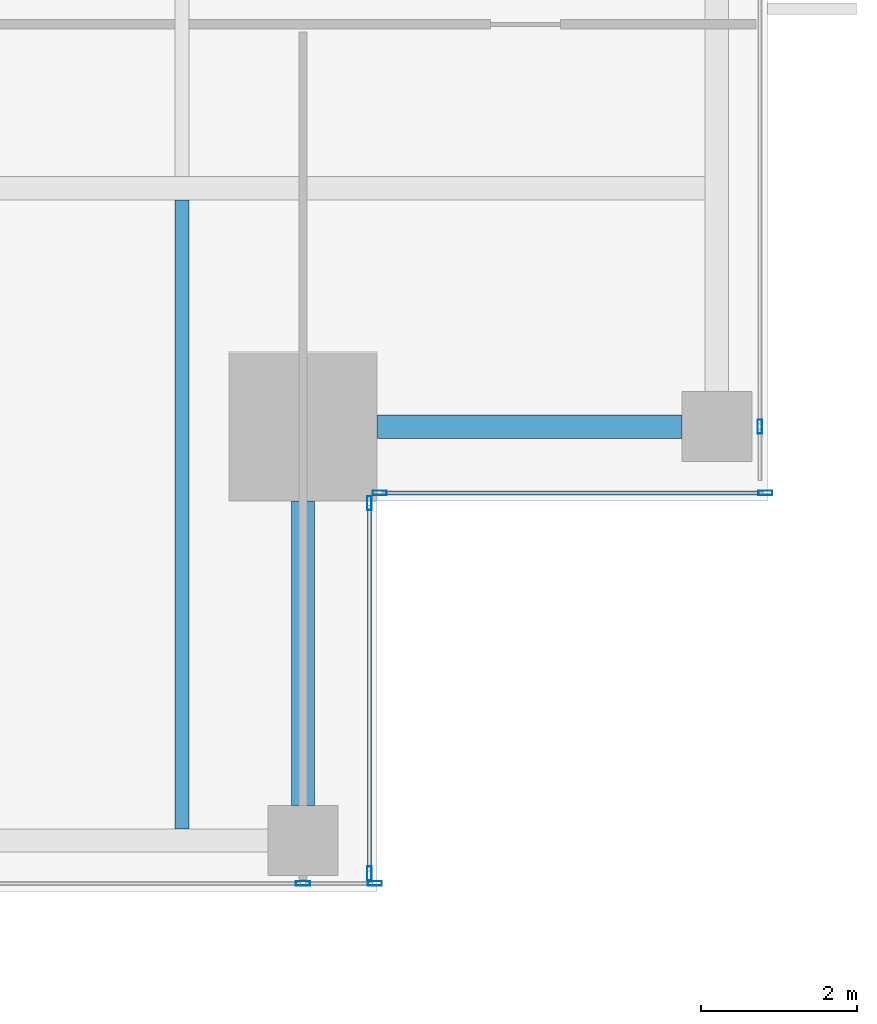
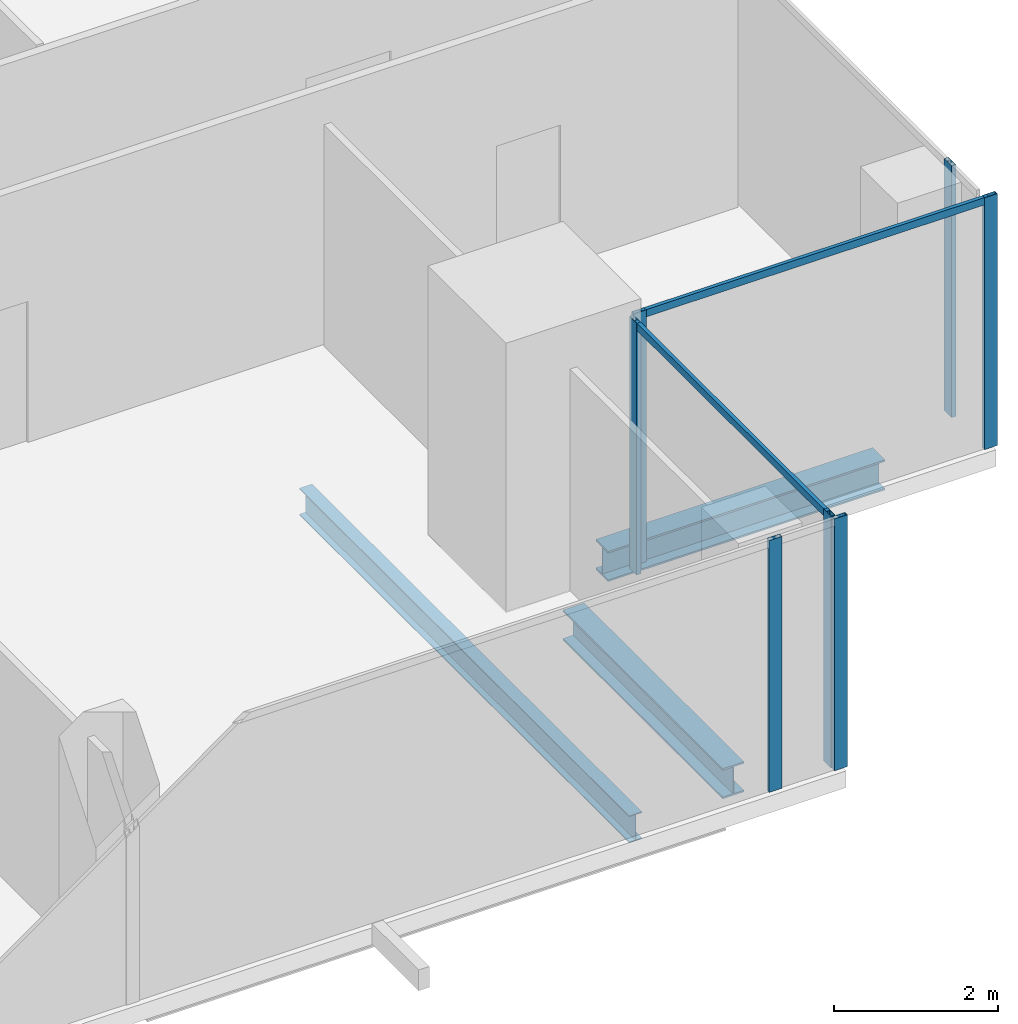
# One storey, part 10 of 36: 9 members, 3 beams, 4 elements without a shape of their own.
"""IFC4 building model written with IfcOpenShell, lengths in metres."""

from ifc_helpers import new_model, si_unit, direction, frame, origin, origin_2d, place, context, subcontext, project, spatial, hollow_rectangle, i_section, extrude, source, transform, mapped, material, material_profile, profile_set, type_object, element, aggregate, save


model = new_model("IFC4")

# Units and contexts
model_context = context("Model", 3, precision=1e-05, world=origin(), true_north=direction((0.0, 1.0)))
body_context = subcontext(model_context, "Body", "Model", "MODEL_VIEW")
ifc_project = project(units=[si_unit("LENGTHUNIT", "METRE"), si_unit("AREAUNIT", "SQUARE_METRE"), si_unit("VOLUMEUNIT", "CUBIC_METRE"), si_unit("PLANEANGLEUNIT", "RADIAN"), si_unit("MASSUNIT", "GRAM", prefix="KILO")], contexts=[model_context])

# Site, building, storey
site_placement = place(None, origin())
site = spatial("IfcSite", under=ifc_project, at=site_placement, CompositionType="ELEMENT")
building_placement = place(site_placement, origin())
building = spatial("IfcBuilding", under=site, at=building_placement, Name="Khomas Fold Tower", CompositionType="ELEMENT")
storey_placement = place(building_placement, frame((0.0, 0.0, 226.199951171875)))
storey = spatial("IfcBuildingStorey", under=building, at=storey_placement, Name="L50", CompositionType="ELEMENT", Elevation=226.199951171875)

# Beams
ifc_material_1 = material(Name="Steel S355", Category="steel")
ifc_material_profile_1 = material_profile(ifc_material_1, i_section(OverallWidth=0.300048828125, OverallDepth=0.449951171875, WebThickness=0.013916015625, FlangeThickness=0.02587890625, at=origin_2d()), Name="HE 450 B")
ifc_profile_set_1 = profile_set([ifc_material_profile_1], Name="Steel S355")
beam_type_1 = type_object("IfcBeamType", Name="HE 450 B spandrel SB4", PredefinedType="SPANDREL", material=ifc_profile_set_1)
shared_shape_1 = source(origin(), body_context, "Body", "SweptSolid", [
    extrude(i_section(OverallWidth=0.300048828125, OverallDepth=0.449951171875, WebThickness=0.013916015625, FlangeThickness=0.02587890625, at=origin_2d()), origin(), (0.0, 0.0, 1.0), 3.89990234375),
])
for number, where, z_axis, x_axis, name in (
    (1, (43.550048828125, 5.60009765625, -0.474853515625), (0.0, 1.0, 0.0), (-1.0, 0.0, 0.0), "SB4"),
    (2, (44.5, 10.449951171875, -0.474853515625), (1.0, 0.0, 0.0), (0.0, 1.0, 0.0), "SB4"),
):
    element("IfcBeam", number, at=place(storey_placement, frame(where, z_axis=z_axis, x_axis=x_axis)), inside=storey, type_object=beam_type_1, Name=name, PredefinedType="SPANDREL", context=body_context, shape_type="MappedRepresentation", body=[
        mapped(shared_shape_1, transform((0.0, 0.0, 0.0))),
    ])
ifc_material_2 = material(Name="Steel S355", Category="steel")
ifc_material_profile_2 = material_profile(ifc_material_2, i_section(OverallWidth=0.179931640625, OverallDepth=0.39990234375, WebThickness=0.008544921875, FlangeThickness=0.013427734375, at=origin_2d()), Name="IPE 400")
ifc_profile_set_2 = profile_set([ifc_material_profile_2], Name="Steel S355")
beam_type_2 = type_object("IfcBeamType", Name="IPE 400 beam JB3", PredefinedType="BEAM", material=ifc_profile_set_2)
shared_shape_2 = source(origin(), body_context, "Body", "SweptSolid", [
    extrude(i_section(OverallWidth=0.179931640625, OverallDepth=0.39990234375, WebThickness=0.008544921875, FlangeThickness=0.013427734375, at=origin_2d()), origin(), (0.0, 0.0, 1.0), 8.050048828125),
])
beam_placement = place(storey_placement, frame((42.0, 5.300048828125, -0.449951171875), z_axis=(0.0, 1.0, 0.0), x_axis=(-1.0, 0.0, 0.0)))
element("IfcBeam", 3, at=beam_placement, inside=storey, type_object=beam_type_2, Name="JB3", PredefinedType="BEAM", context=body_context, shape_type="MappedRepresentation", body=[
    mapped(shared_shape_2, transform((0.0, 0.0, 0.0))),
])

# Curtain wall, members
ifc_material_3 = material(Name="Aluminium framed double glazing", Category="aluminium")
curtain_wall_type = type_object("IfcCurtainWallType", Name="SK-Unitised clear-glass wall, office floors CW2", PredefinedType="NOTDEFINED", material=ifc_material_3)
curtain_wall_1_placement = place(storey_placement, origin())
curtain_wall_1 = element("IfcCurtainWall", 4, at=curtain_wall_1_placement, inside=storey, type_object=curtain_wall_type, Name="CW2 run L50 00-0", PredefinedType="NOTDEFINED")
ifc_material_4 = material(Name="Aluminium", Category="aluminium")
ifc_material_profile_3 = material_profile(ifc_material_4, hollow_rectangle(XDim=0.06005859375, YDim=0.179931640625, WallThickness=0.00390625, at=origin_2d()), Name="SK-Unitised clear-glass wall, office floors mullion CW2-M")
ifc_profile_set_3 = profile_set([ifc_material_profile_3], Name="Aluminium")
member_type_1 = type_object("IfcMemberType", Name="SK-Unitised clear-glass wall, office floors mullion CW2-M", PredefinedType="MULLION", material=ifc_profile_set_3)
shared_shape_3 = source(origin(), body_context, "Body", "SweptSolid", [
    extrude(hollow_rectangle(XDim=0.06005859375, YDim=0.179931640625, WallThickness=0.00390625, at=origin_2d()), origin(), (0.0, 0.0, 1.0), 3.75),
])
member_1_placement = place(storey_placement, frame((43.550048828125, 4.60009765625, 0.0), z_axis=(0.0, 0.0, 1.0), x_axis=(0.0, 1.0, 0.0)))
member_1 = element("IfcMember", 5, at=member_1_placement, type_object=member_type_1, Name="CW2 mullion 6", PredefinedType="MULLION", context=body_context, shape_type="MappedRepresentation", body=[
    mapped(shared_shape_3, transform((0.0, 0.0, 0.0))),
])
member_2_placement = place(storey_placement, frame((44.469970703125, 4.60009765625, 0.0), z_axis=(0.0, 0.0, 1.0), x_axis=(0.0, 1.0, 0.0)))
member_2 = element("IfcMember", 6, at=member_2_placement, type_object=member_type_1, Name="CW2 mullion 7", PredefinedType="MULLION", context=body_context, shape_type="MappedRepresentation", body=[
    mapped(shared_shape_3, transform((0.0, 0.0, 0.0))),
])
aggregate(curtain_wall_1, [member_1, member_2])

curtain_wall_2_placement = place(storey_placement, origin())
curtain_wall_2 = element("IfcCurtainWall", 7, at=curtain_wall_2_placement, inside=storey, type_object=curtain_wall_type, Name="CW2 corner return L50 01", PredefinedType="NOTDEFINED")
member_3_placement = place(storey_placement, frame((44.39990234375, 4.72998046875, 0.0), z_axis=(0.0, 0.0, 1.0), x_axis=(-1.0, 0.0, 0.0)))
member_3 = element("IfcMember", 8, at=member_3_placement, type_object=member_type_1, Name="CW2 mullion 1", PredefinedType="MULLION", context=body_context, shape_type="MappedRepresentation", body=[
    mapped(shared_shape_3, transform((0.0, 0.0, 0.0))),
])
member_4_placement = place(storey_placement, frame((44.39990234375, 9.469970703125, 0.0), z_axis=(0.0, 0.0, 1.0), x_axis=(-1.0, 0.0, 0.0)))
member_4 = element("IfcMember", 9, at=member_4_placement, type_object=member_type_1, Name="CW2 mullion 2", PredefinedType="MULLION", context=body_context, shape_type="MappedRepresentation", body=[
    mapped(shared_shape_3, transform((0.0, 0.0, 0.0))),
])

curtain_wall_3_placement = place(storey_placement, origin())
curtain_wall_3 = element("IfcCurtainWall", 10, at=curtain_wall_3_placement, inside=storey, type_object=curtain_wall_type, Name="CW2 corner return L50 02", PredefinedType="NOTDEFINED")
member_5_placement = place(storey_placement, frame((44.530029296875, 9.60009765625, 0.0), z_axis=(0.0, 0.0, 1.0), x_axis=(0.0, 1.0, 0.0)))
member_5 = element("IfcMember", 11, at=member_5_placement, type_object=member_type_1, Name="CW2 mullion 1", PredefinedType="MULLION", context=body_context, shape_type="MappedRepresentation", body=[
    mapped(shared_shape_3, transform((0.0, 0.0, 0.0))),
])
member_6_placement = place(storey_placement, frame((49.469970703125, 9.60009765625, 0.0), z_axis=(0.0, 0.0, 1.0), x_axis=(0.0, 1.0, 0.0)))
member_6 = element("IfcMember", 12, at=member_6_placement, type_object=member_type_1, Name="CW2 mullion 2", PredefinedType="MULLION", context=body_context, shape_type="MappedRepresentation", body=[
    mapped(shared_shape_3, transform((0.0, 0.0, 0.0))),
])

# Curtain wall, member
curtain_wall_4_placement = place(storey_placement, origin())
curtain_wall_4 = element("IfcCurtainWall", 13, at=curtain_wall_4_placement, inside=storey, type_object=curtain_wall_type, Name="CW2 run L50 03-0", PredefinedType="NOTDEFINED")
member_7_placement = place(storey_placement, frame((49.39990234375, 10.449951171875, 0.0), z_axis=(0.0, 0.0, 1.0), x_axis=(-1.0, 0.0, 0.0)))
member_7 = element("IfcMember", 14, at=member_7_placement, type_object=member_type_1, Name="CW2 mullion 2", PredefinedType="MULLION", context=body_context, shape_type="MappedRepresentation", body=[
    mapped(shared_shape_3, transform((0.0, 0.0, 0.0))),
])
aggregate(curtain_wall_4, [member_7])

# Member
ifc_material_5 = material(Name="Aluminium", Category="aluminium")
ifc_material_profile_4 = material_profile(ifc_material_5, hollow_rectangle(XDim=0.050048828125, YDim=0.110107421875, WallThickness=0.00390625, at=origin_2d()), Name="SK-Unitised clear-glass wall, office floors transom CW2-T")
ifc_profile_set_4 = profile_set([ifc_material_profile_4], Name="Aluminium")
member_type_2 = type_object("IfcMemberType", Name="SK-Unitised clear-glass wall, office floors transom CW2-T", PredefinedType="USERDEFINED", material=ifc_profile_set_4)
shared_shape_4 = source(origin(), body_context, "Body", "SweptSolid", [
    extrude(hollow_rectangle(XDim=0.050048828125, YDim=0.110107421875, WallThickness=0.00390625, at=origin_2d()), origin(), (0.0, 0.0, 1.0), 4.679931640625),
])
member_8_placement = place(storey_placement, frame((44.39990234375, 4.760009765625, 3.695068359375), z_axis=(0.0, 1.0, 0.0), x_axis=(-1.0, 0.0, 0.0)))
member_8 = element("IfcMember", 15, at=member_8_placement, type_object=member_type_2, Name="CW2 transom 1", ObjectType="TRANSOM", PredefinedType="USERDEFINED", context=body_context, shape_type="MappedRepresentation", body=[
    mapped(shared_shape_4, transform((0.0, 0.0, 0.0))),
])

aggregate(curtain_wall_2, [member_3, member_4, member_8])

shared_shape_5 = source(origin(), body_context, "Body", "SweptSolid", [
    extrude(hollow_rectangle(XDim=0.050048828125, YDim=0.110107421875, WallThickness=0.00390625, at=origin_2d()), origin(), (0.0, 0.0, 1.0), 4.8798828125),
])
member_9_placement = place(storey_placement, frame((44.56005859375, 9.60009765625, 3.695068359375), z_axis=(1.0, 0.0, 0.0), x_axis=(0.0, 1.0, 0.0)))
member_9 = element("IfcMember", 16, at=member_9_placement, type_object=member_type_2, Name="CW2 transom 1", ObjectType="TRANSOM", PredefinedType="USERDEFINED", context=body_context, shape_type="MappedRepresentation", body=[
    mapped(shared_shape_5, transform((0.0, 0.0, 0.0))),
])

aggregate(curtain_wall_3, [member_5, member_6, member_9])

save(model, "model.ifc")
